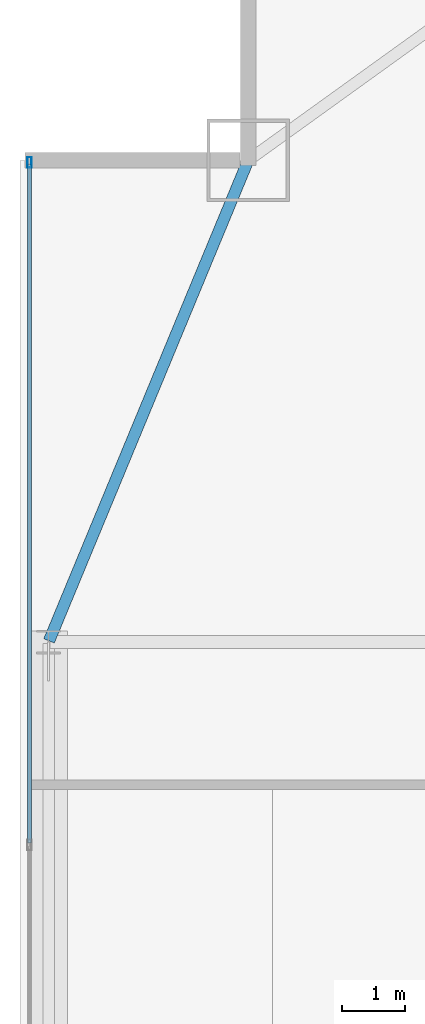
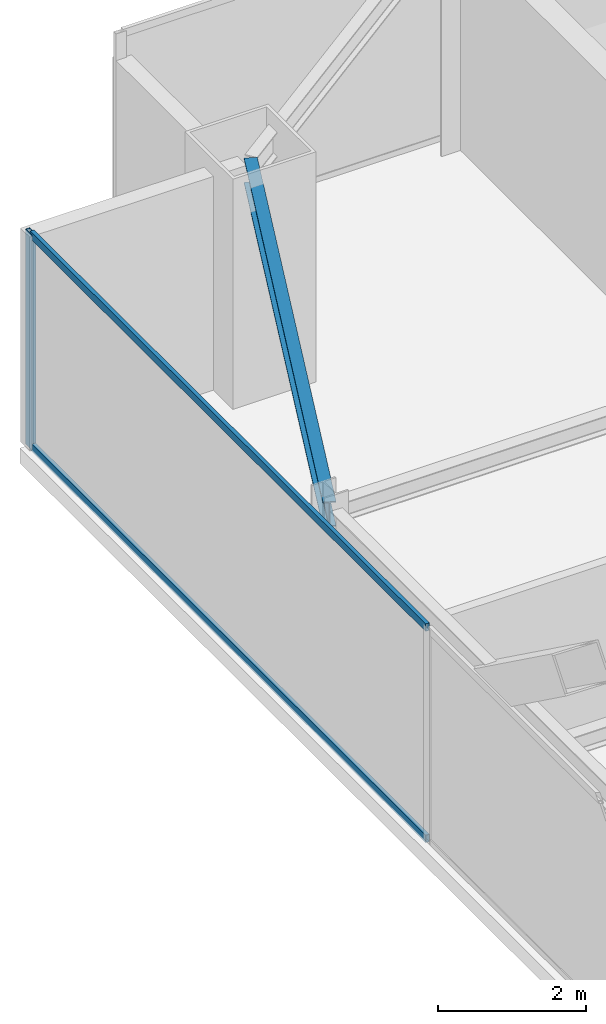
# One storey, part 21 of 34: 3 members, 1 beam, 1 element without a shape of its own.
"""IFC4 building model written with IfcOpenShell, lengths in metres."""

from ifc_helpers import new_model, si_unit, direction, frame, origin, origin_2d, place, context, subcontext, project, spatial, hollow_rectangle, i_section, extrude, source, transform, mapped, material, layer, layer_set, material_profile, profile_set, type_object, type_shapes, element, aggregate, save


model = new_model("IFC4")

# Units and contexts
model_context = context("Model", 3, precision=1e-05, world=origin(), true_north=direction((0.0, 1.0)))
body_context = subcontext(model_context, "Body", "Model", "MODEL_VIEW")
ifc_project = project(units=[si_unit("LENGTHUNIT", "METRE"), si_unit("AREAUNIT", "SQUARE_METRE"), si_unit("VOLUMEUNIT", "CUBIC_METRE"), si_unit("PLANEANGLEUNIT", "RADIAN"), si_unit("MASSUNIT", "GRAM", prefix="KILO")], contexts=[model_context])

# Site, building, storey
site_placement = place(None, origin())
site = spatial("IfcSite", under=ifc_project, at=site_placement, CompositionType="ELEMENT")
building_placement = place(site_placement, origin())
building = spatial("IfcBuilding", under=site, at=building_placement, Name="Varnel Quay Broadcast Tower", CompositionType="ELEMENT")
storey_placement = place(building_placement, frame((0.0, 0.0, 161.0)))
storey = spatial("IfcBuildingStorey", under=building, at=storey_placement, Name="L39", CompositionType="ELEMENT", Elevation=161.0)

# Beam
ifc_material_1 = material(Name="Structural Steel CSA G40.21 350W", Category="steel")
ifc_material_profile_1 = material_profile(ifc_material_1, i_section(OverallWidth=0.180908203125, OverallDepth=0.4169921875, WebThickness=0.010986328125, FlangeThickness=0.018310546875, FilletRadius=0.011962890625, at=origin_2d()), Name="W410X85")
ifc_profile_set_1 = profile_set([ifc_material_profile_1], Name="Structural Steel CSA G40.21 350W")
beam_type = type_object("IfcBeamType", Name="Beam_W410X85", PredefinedType="SPANDREL", material=ifc_profile_set_1)
shared_shape_1 = source(origin(), body_context, "Body", "SweptSolid", [
    extrude(i_section(OverallWidth=0.180908203125, OverallDepth=0.4169921875, WebThickness=0.010986328125, FlangeThickness=0.018310546875, FilletRadius=0.011962890625, at=origin_2d()), origin(), (0.0, 0.0, 1.0), 8.186767578125),
])
type_shapes(beam_type, [shared_shape_1])
beam_placement = place(storey_placement, frame((7.457763671875, 35.618408203125, 3.341552734375), z_axis=(0.382874132092, 0.923800519038, 0.0), x_axis=(-0.923800519038, 0.382874132092, 0.0)))
element("IfcBeam", 1, at=beam_placement, inside=storey, type_object=beam_type, Name="L39 West Spandrel TC-W3-MC-NW", PredefinedType="SPANDREL", context=body_context, shape_type="MappedRepresentation", body=[
    mapped(shared_shape_1, transform((0.0, 0.0, 0.0), x_axis=(1.0, 0.0, 0.0), y_axis=(0.0, 1.0, 0.0), z_axis=(0.0, 0.0, 1.0), scale=1.0)),
])

# Curtain wall, members
ifc_material_2 = material(Name="Anodised Bronze Aluminium 6063-T6", Category="aluminium")
ifc_layer = layer(ifc_material_2, 0.18994140625, Name="Anodised Bronze Aluminium 6063-T6")
ifc_layer_set = layer_set([ifc_layer], Name="Anodised Bronze Aluminium 6063-T6")
curtain_wall_type = type_object("IfcCurtainWallType", Name="CW_UpperTower", PredefinedType="NOTDEFINED", material=ifc_layer_set)
curtain_wall_placement = place(storey_placement, origin())
curtain_wall = element("IfcCurtainWall", 2, at=curtain_wall_placement, inside=storey, type_object=curtain_wall_type, Name="L39 West Unitised Curtain Wall", PredefinedType="NOTDEFINED")
ifc_material_profile_2 = material_profile(ifc_material_2, hollow_rectangle(XDim=0.06494140625, YDim=0.1650390625, WallThickness=0.00341796875, at=origin_2d()), Name="ALU65X165X3.5")
ifc_profile_set_2 = profile_set([ifc_material_profile_2], Name="Anodised Bronze Aluminium 6063-T6")
member_type_1 = type_object("IfcMemberType", Name="Mull_CWS-03", PredefinedType="MULLION", material=ifc_profile_set_2)
shared_shape_2 = source(origin(), body_context, "Body", "SweptSolid", [
    extrude(hollow_rectangle(XDim=0.06494140625, YDim=0.1650390625, WallThickness=0.00341796875, at=origin_2d()), origin(), (0.0, 0.0, 1.0), 3.550048828125),
])
type_shapes(member_type_1, [shared_shape_2])
member_1_placement = place(storey_placement, frame((7.14990234375, 43.16748046875, 0.0), z_axis=(0.0, 0.0, 1.0), x_axis=(-1.0, 0.0, 0.0)))
member_1 = element("IfcMember", 3, at=member_1_placement, type_object=member_type_1, Name="CWS-03 mullion 4", PredefinedType="MULLION", context=body_context, shape_type="MappedRepresentation", body=[
    mapped(shared_shape_2, transform((0.0, 0.0, 0.0), x_axis=(1.0, 0.0, 0.0), y_axis=(0.0, 1.0, 0.0), z_axis=(0.0, 0.0, 1.0), scale=1.0)),
])
ifc_material_profile_3 = material_profile(ifc_material_2, hollow_rectangle(XDim=0.06005859375, YDim=0.125, WallThickness=0.0029296875, at=origin_2d()), Name="ALU60X125X3")
ifc_profile_set_3 = profile_set([ifc_material_profile_3], Name="Anodised Bronze Aluminium 6063-T6")
member_type_2 = type_object("IfcMemberType", Name="Tran_CWS-03", PredefinedType="USERDEFINED", material=ifc_profile_set_3)
shared_shape_3 = source(origin(), body_context, "Body", "SweptSolid", [
    extrude(hollow_rectangle(XDim=0.06005859375, YDim=0.125, WallThickness=0.0029296875, at=origin_2d()), origin(), (0.0, 0.0, 1.0), 10.702392578125),
])
type_shapes(member_type_2, [shared_shape_3])
member_2_placement = place(storey_placement, frame((7.14990234375, 32.4326171875, 0.030029296875), z_axis=(0.0, 1.0, 0.0), x_axis=(-1.0, 0.0, 0.0)))
member_2 = element("IfcMember", 4, at=member_2_placement, type_object=member_type_2, Name="CWS-03 transom 3.1", ObjectType="TRANSOM", PredefinedType="USERDEFINED", context=body_context, shape_type="MappedRepresentation", body=[
    mapped(shared_shape_3, transform((0.0, 0.0, 0.0), x_axis=(1.0, 0.0, 0.0), y_axis=(0.0, 1.0, 0.0), z_axis=(0.0, 0.0, 1.0), scale=1.0)),
])
member_3_placement = place(storey_placement, frame((7.14990234375, 32.4326171875, 3.52001953125), z_axis=(0.0, 1.0, 0.0), x_axis=(-1.0, 0.0, 0.0)))
member_3 = element("IfcMember", 5, at=member_3_placement, type_object=member_type_2, Name="CWS-03 transom 3.2", ObjectType="TRANSOM", PredefinedType="USERDEFINED", context=body_context, shape_type="MappedRepresentation", body=[
    mapped(shared_shape_3, transform((0.0, 0.0, 0.0), x_axis=(1.0, 0.0, 0.0), y_axis=(0.0, 1.0, 0.0), z_axis=(0.0, 0.0, 1.0), scale=1.0)),
])
aggregate(curtain_wall, [member_1, member_2, member_3])

save(model, "model.ifc")
